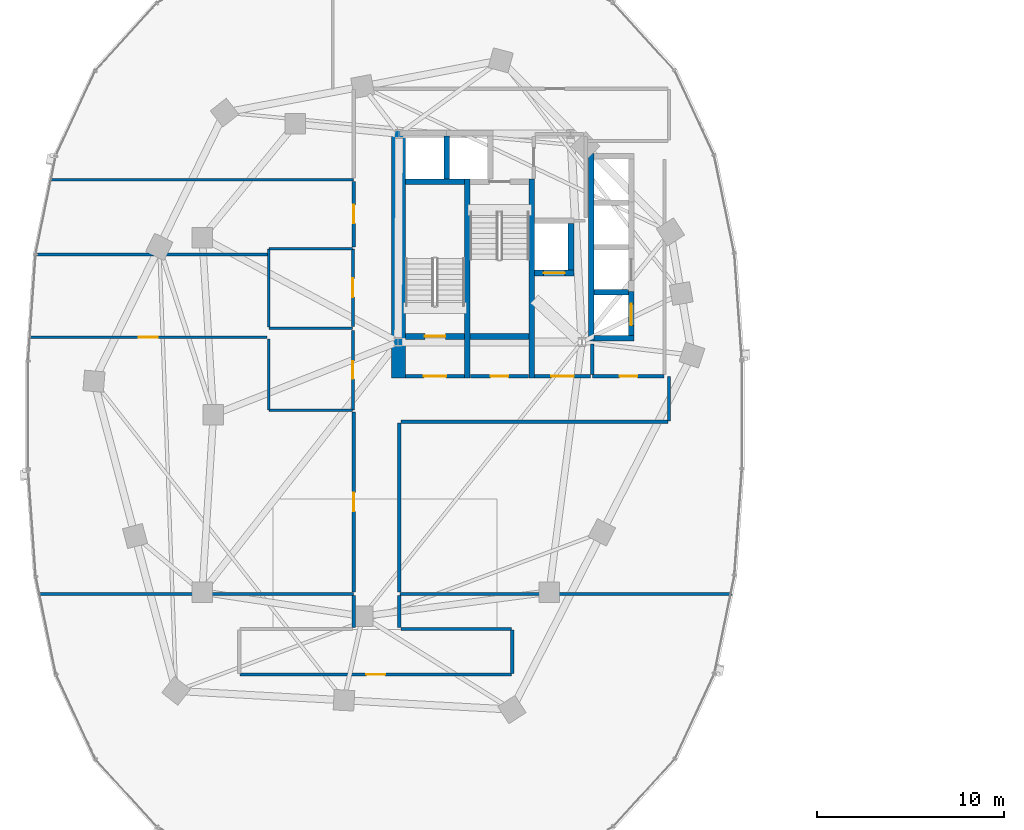
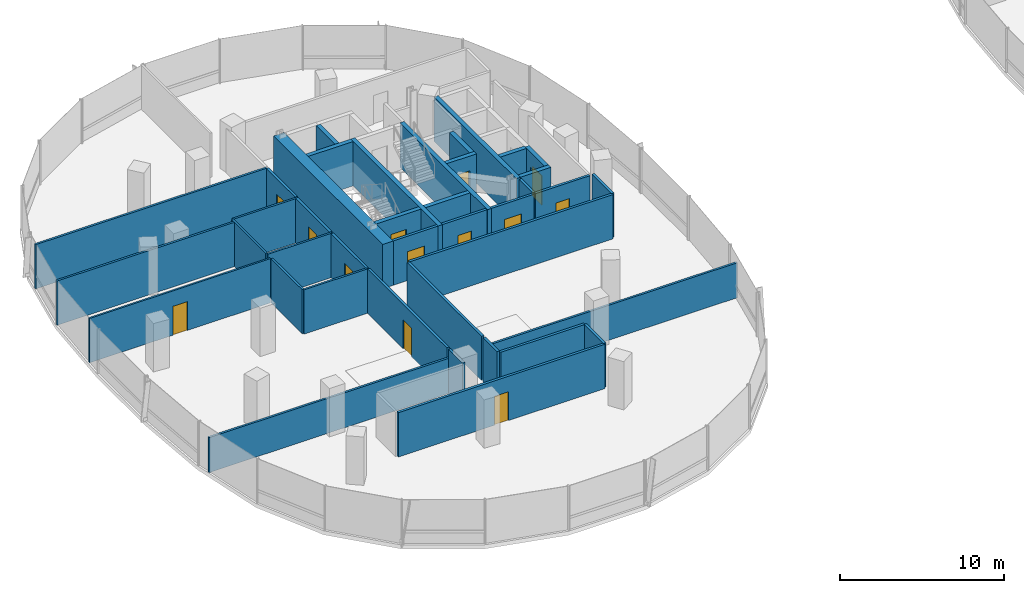
# One storey, part 11 of 21: 40 walls, 13 doors, 13 openings.
"""IFC4 building model written with IfcOpenShell, lengths in metres."""

from ifc_helpers import new_model, si_unit, direction, frame, frame_2d, origin, place, context, subcontext, project, spatial, rectangle, extrude, material, layer, layer_set, type_object, element, fill, save


model = new_model("IFC4")

# Units and contexts
model_context = context("Model", 3, precision=1e-05, world=origin(), true_north=direction((0.0, 1.0)))
body_context = subcontext(model_context, "Body", "Model", "MODEL_VIEW")
ifc_project = project(units=[si_unit("LENGTHUNIT", "METRE"), si_unit("AREAUNIT", "SQUARE_METRE"), si_unit("VOLUMEUNIT", "CUBIC_METRE"), si_unit("PLANEANGLEUNIT", "RADIAN"), si_unit("MASSUNIT", "GRAM", prefix="KILO"), si_unit("THERMODYNAMICTEMPERATUREUNIT", "KELVIN"), si_unit("POWERUNIT", "WATT")], contexts=[model_context])

# Site, building, storey
site_placement = place(None, origin())
site = spatial("IfcSite", under=ifc_project, at=site_placement, CompositionType="ELEMENT")
building_placement = place(site_placement, origin())
building = spatial("IfcBuilding", under=site, at=building_placement, Name="Cundina Bronze Exchange", CompositionType="ELEMENT")
storey_placement = place(building_placement, frame((0.0, 0.0, 103.39990234375)))
storey = spatial("IfcBuildingStorey", under=building, at=storey_placement, Name="L26", CompositionType="ELEMENT", Elevation=103.39990234375)

# Wall
ifc_material_1 = material(Name="Gypsum Fireboard Partition EI120")
ifc_layer_1 = layer(ifc_material_1, 0.179931640625, Name="Gypsum Fireboard Partition EI120")
ifc_layer_set_1 = layer_set([ifc_layer_1], Name="Gypsum Fireboard Partition EI120")
wall_type_1 = type_object("IfcWallType", Name="WL-COR-180", PredefinedType="PARTITIONING", material=ifc_layer_set_1)
wall_1_placement = place(storey_placement, frame((-20.889892578125, 2.14990234375, 0.0), z_axis=(0.0, 0.0, 1.0), x_axis=(0.0, 1.0, 0.0)))
element("IfcWall", 1, at=wall_1_placement, inside=storey, type_object=wall_type_1, Name="L26 W Firefighting Lobby Side Wall", PredefinedType="PARTITIONING", context=body_context, shape_type="SweptSolid", body=[
    extrude(rectangle(XDim=1.650146484375, YDim=0.179931640625, at=frame_2d((0.8251953125, 0.0))), origin(), (0.0, 0.0, 1.0), 3.300048828125),
])

# Wall, opening, door
wall_2_placement = place(storey_placement, frame((-23.97998046875, 2.06005859375, 0.0), z_axis=(0.0, 0.0, 1.0), x_axis=(1.0, 0.0, 0.0)))
wall_2 = element("IfcWall", 2, at=wall_2_placement, inside=storey, type_object=wall_type_1, Name="L26 W Firefighting Lobby Exit Wall", PredefinedType="PARTITIONING", context=body_context, shape_type="SweptSolid", body=[
    extrude(rectangle(XDim=3.0, YDim=0.179931640625, at=frame_2d((1.5, 0.0))), origin(), (0.0, 0.0, 1.0), 3.300048828125),
])
opening_1_placement = place(wall_2_placement, frame((0.89990234375, 0.0, 0.0)))
opening_1 = element("IfcOpeningElement", 3, at=opening_1_placement, cuts=wall_2, Name="Opening DF-01", PredefinedType="OPENING", context=body_context, shape_type="SweptSolid", body=[
    extrude(rectangle(XDim=1.199951171875, YDim=2.14990234375, at=frame_2d((0.60009765625, 1.074951171875))), frame((0.0, 0.099853515625, 0.0), z_axis=(0.0, -1.0, 0.0), x_axis=(1.0, 0.0, 0.0)), (0.0, 0.0, 1.0), 0.199951171875),
])
ifc_material_2 = material(Name="Steel ASTM A36 Painted", Category="steel")
door_type_1 = type_object("IfcDoorType", Name="DR-FFL-1200", OperationType="NOTDEFINED", PredefinedType="DOOR", material=ifc_material_2)
door_1_placement = place(opening_1_placement, origin())
door_1 = element("IfcDoor", 4, at=door_1_placement, inside=storey, type_object=door_type_1, Name="L26 W Firefighting Lobby Door", OperationType="SINGLE_SWING_RIGHT", OverallHeight=2.14990234375, OverallWidth=1.199951171875, PredefinedType="DOOR", context=body_context, shape_type="SweptSolid", body=[
    extrude(rectangle(XDim=1.199951171875, YDim=2.14990234375, at=frame_2d((0.60009765625, 1.074951171875))), frame((0.0, 0.02490234375, 0.0), z_axis=(0.0, -1.0, 0.0), x_axis=(1.0, 0.0, 0.0)), (0.0, 0.0, 1.0), 0.050048828125),
])
fill(opening_1, door_1)

wall_3_placement = place(storey_placement, frame((-30.89990234375, 2.06005859375, 0.0), z_axis=(0.0, 0.0, 1.0), x_axis=(1.0, 0.0, 0.0)))
wall_3 = element("IfcWall", 5, at=wall_3_placement, inside=storey, type_object=wall_type_1, Name="L26 W Stair Vestibule Exit Wall", PredefinedType="PARTITIONING", context=body_context, shape_type="SweptSolid", body=[
    extrude(rectangle(XDim=3.159912109375, YDim=0.179931640625, at=frame_2d((1.580078125, 0.0))), origin(), (0.0, 0.0, 1.0), 3.300048828125),
])
opening_2_placement = place(wall_3_placement, frame((0.97998046875, 0.0, 0.0)))
opening_2 = element("IfcOpeningElement", 6, at=opening_2_placement, cuts=wall_3, Name="Opening DF-01", PredefinedType="OPENING", context=body_context, shape_type="SweptSolid", body=[
    extrude(rectangle(XDim=1.199951171875, YDim=2.14990234375, at=frame_2d((0.60009765625, 1.074951171875))), frame((0.0, 0.099853515625, 0.0), z_axis=(0.0, -1.0, 0.0), x_axis=(1.0, 0.0, 0.0)), (0.0, 0.0, 1.0), 0.199951171875),
])
door_2_placement = place(opening_2_placement, origin())
door_2 = element("IfcDoor", 7, at=door_2_placement, inside=storey, type_object=door_type_1, Name="L26 W Stair Vestibule Door", OperationType="SINGLE_SWING_LEFT", OverallHeight=2.14990234375, OverallWidth=1.199951171875, PredefinedType="DOOR", context=body_context, shape_type="SweptSolid", body=[
    extrude(rectangle(XDim=1.199951171875, YDim=2.14990234375, at=frame_2d((0.60009765625, 1.074951171875))), frame((0.0, 0.02490234375, 0.0), z_axis=(0.0, -1.0, 0.0), x_axis=(1.0, 0.0, 0.0)), (0.0, 0.0, 1.0), 0.050048828125),
])
fill(opening_2, door_2)

wall_4_placement = place(storey_placement, frame((-20.8701171875, 2.070068359375, 0.0), z_axis=(0.0, 0.0, 1.0), x_axis=(1.0, 0.0, 0.0)))
wall_4 = element("IfcWall", 8, at=wall_4_placement, inside=storey, type_object=wall_type_1, Name="L26 Interior Partition 002", PredefinedType="PARTITIONING", context=body_context, shape_type="SweptSolid", body=[
    extrude(rectangle(XDim=3.830078125, YDim=0.179931640625, at=frame_2d((1.9150390625, 0.0))), origin(), (0.0, 0.0, 1.0), 3.300048828125),
])
opening_3_placement = place(wall_4_placement, frame((1.43994140625, 0.0, 0.0)))
opening_3 = element("IfcOpeningElement", 9, at=opening_3_placement, cuts=wall_4, Name="Opening DW-01", PredefinedType="OPENING", context=body_context, shape_type="SweptSolid", body=[
    extrude(rectangle(XDim=0.949951171875, YDim=2.10009765625, at=frame_2d((0.47509765625, 1.050048828125))), frame((0.0, 0.099853515625, 0.0), z_axis=(0.0, -1.0, 0.0), x_axis=(1.0, 0.0, 0.0)), (0.0, 0.0, 1.0), 0.199951171875),
])
ifc_material_3 = material(Name="Solid Andean Oak Timber Grade A", Category="wood")
door_type_2 = type_object("IfcDoorType", Name="DR-WC-950", OperationType="NOTDEFINED", PredefinedType="DOOR", material=ifc_material_3)
door_3_placement = place(opening_3_placement, origin())
door_3 = element("IfcDoor", 10, at=door_3_placement, inside=storey, type_object=door_type_2, Name="L26 Interior Door 002", OperationType="SINGLE_SWING_LEFT", OverallHeight=2.10009765625, OverallWidth=0.949951171875, PredefinedType="DOOR", context=body_context, shape_type="SweptSolid", body=[
    extrude(rectangle(XDim=0.949951171875, YDim=2.10009765625, at=frame_2d((0.47509765625, 1.050048828125))), frame((0.0, 0.02490234375, 0.0), z_axis=(0.0, -1.0, 0.0), x_axis=(1.0, 0.0, 0.0)), (0.0, 0.0, 1.0), 0.050048828125),
])
fill(opening_3, door_3)

wall_5_placement = place(storey_placement, frame((-27.419921875, 2.070068359375, 0.0), z_axis=(0.0, 0.0, 1.0), x_axis=(1.0, 0.0, 0.0)))
wall_5 = element("IfcWall", 11, at=wall_5_placement, inside=storey, type_object=wall_type_1, Name="L26 Interior Partition 006", PredefinedType="PARTITIONING", context=body_context, shape_type="SweptSolid", body=[
    extrude(rectangle(XDim=3.119873046875, YDim=0.179931640625, at=frame_2d((1.56005859375, 0.0))), origin(), (0.0, 0.0, 1.0), 3.300048828125),
])
opening_4_placement = place(wall_5_placement, frame((1.0849609375, 0.0, 0.0)))
opening_4 = element("IfcOpeningElement", 12, at=opening_4_placement, cuts=wall_5, Name="Opening DW-01", PredefinedType="OPENING", context=body_context, shape_type="SweptSolid", body=[
    extrude(rectangle(XDim=0.949951171875, YDim=2.10009765625, at=frame_2d((0.47509765625, 1.050048828125))), frame((0.0, 0.099853515625, 0.0), z_axis=(0.0, -1.0, 0.0), x_axis=(1.0, 0.0, 0.0)), (0.0, 0.0, 1.0), 0.199951171875),
])
door_4_placement = place(opening_4_placement, origin())
door_4 = element("IfcDoor", 13, at=door_4_placement, inside=storey, type_object=door_type_2, Name="L26 Interior Door 006", OperationType="SINGLE_SWING_RIGHT", OverallHeight=2.10009765625, OverallWidth=0.949951171875, PredefinedType="DOOR", context=body_context, shape_type="SweptSolid", body=[
    extrude(rectangle(XDim=0.949951171875, YDim=2.10009765625, at=frame_2d((0.47509765625, 1.050048828125))), frame((0.0, 0.02490234375, 0.0), z_axis=(0.0, -1.0, 0.0), x_axis=(1.0, 0.0, 0.0)), (0.0, 0.0, 1.0), 0.050048828125),
])
fill(opening_4, door_4)

wall_6_placement = place(storey_placement, frame((-33.719970703125, 0.27001953125, 0.0), z_axis=(0.0, 0.0, 1.0), x_axis=(0.0, 1.0, 0.0)))
wall_6 = element("IfcWall", 14, at=wall_6_placement, inside=storey, type_object=wall_type_1, Name="L26 Interior Partition 013", PredefinedType="PARTITIONING", context=body_context, shape_type="SweptSolid", body=[
    extrude(rectangle(XDim=4.260009765625, YDim=0.179931640625, at=frame_2d((2.1298828125, 0.0))), origin(), (0.0, 0.0, 1.0), 3.300048828125),
])
opening_5_placement = place(wall_6_placement, frame((1.655029296875, 0.0, 0.0)))
opening_5 = element("IfcOpeningElement", 15, at=opening_5_placement, cuts=wall_6, Name="Opening DW-01", PredefinedType="OPENING", context=body_context, shape_type="SweptSolid", body=[
    extrude(rectangle(XDim=0.949951171875, YDim=2.10009765625, at=frame_2d((0.47509765625, 1.050048828125))), frame((0.0, 0.099853515625, 0.0), z_axis=(0.0, -1.0, 0.0), x_axis=(1.0, 0.0, 0.0)), (0.0, 0.0, 1.0), 0.199951171875),
])
door_5_placement = place(opening_5_placement, origin())
door_5 = element("IfcDoor", 16, at=door_5_placement, inside=storey, type_object=door_type_2, Name="L26 Interior Door 013", OperationType="SINGLE_SWING_LEFT", OverallHeight=2.10009765625, OverallWidth=0.949951171875, PredefinedType="DOOR", context=body_context, shape_type="SweptSolid", body=[
    extrude(rectangle(XDim=0.949951171875, YDim=2.10009765625, at=frame_2d((0.47509765625, 1.050048828125))), frame((0.0, 0.02490234375, 0.0), z_axis=(0.0, -1.0, 0.0), x_axis=(1.0, 0.0, 0.0)), (0.0, 0.0, 1.0), 0.050048828125),
])
fill(opening_5, door_5)

wall_7_placement = place(storey_placement, frame((-33.719970703125, 4.72998046875, 0.0), z_axis=(0.0, 0.0, 1.0), x_axis=(0.0, 1.0, 0.0)))
wall_7 = element("IfcWall", 17, at=wall_7_placement, inside=storey, type_object=wall_type_1, Name="L26 Interior Partition 014", PredefinedType="PARTITIONING", context=body_context, shape_type="SweptSolid", body=[
    extrude(rectangle(XDim=4.159912109375, YDim=0.179931640625, at=frame_2d((2.080078125, 0.0))), origin(), (0.0, 0.0, 1.0), 3.300048828125),
])
opening_6_placement = place(wall_7_placement, frame((1.580078125, 0.0, 0.0)))
opening_6 = element("IfcOpeningElement", 18, at=opening_6_placement, cuts=wall_7, Name="Opening DO-01", PredefinedType="OPENING", context=body_context, shape_type="SweptSolid", body=[
    extrude(rectangle(XDim=1.0, YDim=2.14990234375, at=frame_2d((0.5, 1.074951171875))), frame((0.0, 0.099853515625, 0.0), z_axis=(0.0, -1.0, 0.0), x_axis=(1.0, 0.0, 0.0)), (0.0, 0.0, 1.0), 0.199951171875),
])
door_type_3 = type_object("IfcDoorType", Name="DR-OFF-1000", OperationType="NOTDEFINED", PredefinedType="DOOR", material=ifc_material_3)
door_6_placement = place(opening_6_placement, origin())
door_6 = element("IfcDoor", 19, at=door_6_placement, inside=storey, type_object=door_type_3, Name="L26 Interior Door 014", OperationType="SINGLE_SWING_LEFT", OverallHeight=2.14990234375, OverallWidth=1.0, PredefinedType="DOOR", context=body_context, shape_type="SweptSolid", body=[
    extrude(rectangle(XDim=1.0, YDim=2.14990234375, at=frame_2d((0.5, 1.074951171875))), frame((0.0, 0.02490234375, 0.0), z_axis=(0.0, -1.0, 0.0), x_axis=(1.0, 0.0, 0.0)), (0.0, 0.0, 1.0), 0.050048828125),
])
fill(opening_6, door_6)

wall_8_placement = place(storey_placement, frame((-39.778564453125, -13.919921875, 0.0), z_axis=(0.0, 0.0, 1.0), x_axis=(1.0, 0.0, 0.0)))
wall_8 = element("IfcWall", 20, at=wall_8_placement, inside=storey, type_object=wall_type_1, Name="L26 Interior Partition 020", PredefinedType="PARTITIONING", context=body_context, shape_type="SweptSolid", body=[
    extrude(rectangle(XDim=14.55712890625, YDim=0.179931640625, at=frame_2d((7.278564453125, 0.0))), origin(), (0.0, 0.0, 1.0), 3.300048828125),
])
opening_7_placement = place(wall_8_placement, frame((6.778564453125, 0.0, 0.0)))
opening_7 = element("IfcOpeningElement", 21, at=opening_7_placement, cuts=wall_8, Name="Opening DO-01", PredefinedType="OPENING", context=body_context, shape_type="SweptSolid", body=[
    extrude(rectangle(XDim=1.0, YDim=2.14990234375, at=frame_2d((0.5, 1.074951171875))), frame((0.0, 0.099853515625, 0.0), z_axis=(0.0, -1.0, 0.0), x_axis=(1.0, 0.0, 0.0)), (0.0, 0.0, 1.0), 0.199951171875),
])
door_7_placement = place(opening_7_placement, origin())
door_7 = element("IfcDoor", 22, at=door_7_placement, inside=storey, type_object=door_type_3, Name="L26 Interior Door 020", OperationType="SINGLE_SWING_RIGHT", OverallHeight=2.14990234375, OverallWidth=1.0, PredefinedType="DOOR", context=body_context, shape_type="SweptSolid", body=[
    extrude(rectangle(XDim=1.0, YDim=2.14990234375, at=frame_2d((0.5, 1.074951171875))), frame((0.0, 0.02490234375, 0.0), z_axis=(0.0, -1.0, 0.0), x_axis=(1.0, 0.0, 0.0)), (0.0, 0.0, 1.0), 0.050048828125),
])
fill(opening_7, door_7)

# Walls
wall_9_placement = place(storey_placement, frame((-25.221435546875, -11.47998046875, 0.0), z_axis=(0.0, 0.0, 1.0), x_axis=(-1.0, 0.0, 0.0)))
element("IfcWall", 23, at=wall_9_placement, inside=storey, type_object=wall_type_1, Name="L26 Interior Partition 022", PredefinedType="PARTITIONING", context=body_context, shape_type="SweptSolid", body=[
    extrude(rectangle(XDim=5.928466796875, YDim=0.179931640625, at=frame_2d((2.96435546875, 0.0))), origin(), (0.0, 0.0, 1.0), 3.300048828125),
])
wall_10_placement = place(storey_placement, frame((-25.179931640625, -13.87841796875, 0.0), z_axis=(0.0, 0.0, 1.0), x_axis=(0.0, 1.0, 0.0)))
element("IfcWall", 24, at=wall_10_placement, inside=storey, type_object=wall_type_1, Name="L26 Interior Partition 024", PredefinedType="PARTITIONING", context=body_context, shape_type="SweptSolid", body=[
    extrude(rectangle(XDim=2.35693359375, YDim=0.179931640625, at=frame_2d((1.178466796875, 0.0))), origin(), (0.0, 0.0, 1.0), 3.300048828125),
])
for number, where, z_axis, x_axis, name in (
    (25, (-33.669921875, -9.68994140625, 0.0), (0.0, 0.0, 1.0), (0.0, -1.0, 0.0), "L26 Interior Partition 025"),
    (26, (-31.22998046875, -11.39990234375, 0.0), (0.0, 0.0, 1.0), (0.0, 1.0, 0.0), "L26 Interior Partition 026"),
):
    element("IfcWall", number, at=place(storey_placement, frame(where, z_axis=z_axis, x_axis=x_axis)), inside=storey, type_object=wall_type_1, Name=name, PredefinedType="PARTITIONING", context=body_context, shape_type="SweptSolid", body=[
        extrude(rectangle(XDim=1.7099609375, YDim=0.179931640625, at=frame_2d((0.85498046875, 0.0))), origin(), (0.0, 0.0, 1.0), 3.300048828125),
    ])

# Wall, opening, door
wall_11_placement = place(storey_placement, frame((-33.669921875, 0.15869140625, 0.0), z_axis=(0.0, 0.0, 1.0), x_axis=(0.0, -1.0, 0.0)))
wall_11 = element("IfcWall", 27, at=wall_11_placement, inside=storey, type_object=wall_type_1, Name="L26 Interior Partition 027", PredefinedType="PARTITIONING", context=body_context, shape_type="SweptSolid", body=[
    extrude(rectangle(XDim=9.668701171875, YDim=0.179931640625, at=frame_2d((4.83447265625, 0.0))), origin(), (0.0, 0.0, 1.0), 3.300048828125),
])
opening_8_placement = place(wall_11_placement, frame((4.334228515625, 0.0, 0.0)))
opening_8 = element("IfcOpeningElement", 28, at=opening_8_placement, cuts=wall_11, Name="Opening DO-01", PredefinedType="OPENING", context=body_context, shape_type="SweptSolid", body=[
    extrude(rectangle(XDim=1.0, YDim=2.14990234375, at=frame_2d((0.5, 1.074951171875))), frame((0.0, 0.099853515625, 0.0), z_axis=(0.0, -1.0, 0.0), x_axis=(1.0, 0.0, 0.0)), (0.0, 0.0, 1.0), 0.199951171875),
])
door_8_placement = place(opening_8_placement, origin())
door_8 = element("IfcDoor", 29, at=door_8_placement, inside=storey, type_object=door_type_3, Name="L26 Interior Door 027", OperationType="SINGLE_SWING_RIGHT", OverallHeight=2.14990234375, OverallWidth=1.0, PredefinedType="DOOR", context=body_context, shape_type="SweptSolid", body=[
    extrude(rectangle(XDim=1.0, YDim=2.14990234375, at=frame_2d((0.5, 1.074951171875))), frame((0.0, 0.02490234375, 0.0), z_axis=(0.0, -1.0, 0.0), x_axis=(1.0, 0.0, 0.0)), (0.0, 0.0, 1.0), 0.050048828125),
])
fill(opening_8, door_8)

# Walls
wall_12_placement = place(storey_placement, frame((-31.14990234375, -0.3701171875, 0.0), z_axis=(0.0, 0.0, 1.0), x_axis=(1.0, 0.0, 0.0)))
element("IfcWall", 30, at=wall_12_placement, inside=storey, type_object=wall_type_1, Name="L26 Interior Partition 029", PredefinedType="PARTITIONING", context=body_context, shape_type="SweptSolid", body=[
    extrude(rectangle(XDim=14.328369140625, YDim=0.179931640625, at=frame_2d((7.1640625, 0.0))), origin(), (0.0, 0.0, 1.0), 3.300048828125),
])
wall_13_placement = place(storey_placement, frame((-31.22998046875, -9.510009765625, 0.0), z_axis=(0.0, 0.0, 1.0), x_axis=(0.0, 1.0, 0.0)))
element("IfcWall", 31, at=wall_13_placement, inside=storey, type_object=wall_type_1, Name="L26 Interior Partition 030", PredefinedType="PARTITIONING", context=body_context, shape_type="SweptSolid", body=[
    extrude(rectangle(XDim=9.06005859375, YDim=0.179931640625, at=frame_2d((4.530029296875, 0.0))), origin(), (0.0, 0.0, 1.0), 3.300048828125),
])
wall_14_placement = place(storey_placement, frame((-16.780029296875, -0.32861328125, 0.0), z_axis=(0.0, 0.0, 1.0), x_axis=(0.0, 1.0, 0.0)))
element("IfcWall", 32, at=wall_14_placement, inside=storey, type_object=wall_type_1, Name="L26 Interior Partition 034", PredefinedType="PARTITIONING", context=body_context, shape_type="SweptSolid", body=[
    extrude(rectangle(XDim=2.38720703125, YDim=0.179931640625, at=frame_2d((1.193603515625, 0.0))), origin(), (0.0, 0.0, 1.0), 3.300048828125),
])

# Wall, opening, door
wall_15_placement = place(storey_placement, frame((-33.669921875, 12.510009765625, 0.0), z_axis=(0.0, 0.0, 1.0), x_axis=(0.0, -1.0, 0.0)))
wall_15 = element("IfcWall", 33, at=wall_15_placement, inside=storey, type_object=wall_type_1, Name="L26 Interior Partition 035", PredefinedType="PARTITIONING", context=body_context, shape_type="SweptSolid", body=[
    extrude(rectangle(XDim=3.508544921875, YDim=0.179931640625, at=frame_2d((1.75439453125, 0.0))), origin(), (0.0, 0.0, 1.0), 3.300048828125),
])
opening_9_placement = place(wall_15_placement, frame((1.25439453125, 0.0, 0.0)))
opening_9 = element("IfcOpeningElement", 34, at=opening_9_placement, cuts=wall_15, Name="Opening DO-01", PredefinedType="OPENING", context=body_context, shape_type="SweptSolid", body=[
    extrude(rectangle(XDim=1.0, YDim=2.14990234375, at=frame_2d((0.5, 1.074951171875))), frame((0.0, 0.099853515625, 0.0), z_axis=(0.0, -1.0, 0.0), x_axis=(1.0, 0.0, 0.0)), (0.0, 0.0, 1.0), 0.199951171875),
])
door_9_placement = place(opening_9_placement, origin())
door_9 = element("IfcDoor", 35, at=door_9_placement, inside=storey, type_object=door_type_3, Name="L26 Interior Door 035", OperationType="SINGLE_SWING_LEFT", OverallHeight=2.14990234375, OverallWidth=1.0, PredefinedType="DOOR", context=body_context, shape_type="SweptSolid", body=[
    extrude(rectangle(XDim=1.0, YDim=2.14990234375, at=frame_2d((0.5, 1.074951171875))), frame((0.0, 0.02490234375, 0.0), z_axis=(0.0, -1.0, 0.0), x_axis=(1.0, 0.0, 0.0)), (0.0, 0.0, 1.0), 0.050048828125),
])
fill(opening_9, door_9)

# Wall
ifc_material_4 = material(Name="Concrete C60/75", Category="concrete")
ifc_layer_2 = layer(ifc_material_4, 0.75, Name="Concrete C60/75", Category="concrete")
ifc_layer_set_2 = layer_set([ifc_layer_2], Name="Concrete C60/75")
wall_type_2 = type_object("IfcWallType", Name="WL-CORE-750", PredefinedType="SHEAR", material=ifc_layer_set_2)
wall_16_placement = place(storey_placement, frame((-31.27490234375, 1.969970703125, 0.0), z_axis=(0.0, 0.0, 1.0), x_axis=(0.0, 1.0, 0.0)))
element("IfcWall", 36, at=wall_16_placement, inside=storey, type_object=wall_type_2, Name="L26 W Primary Core Shear Spine Wall", PredefinedType="SHEAR", context=body_context, shape_type="SweptSolid", body=[
    extrude(rectangle(XDim=13.330078125, YDim=0.75, at=frame_2d((6.6650390625, 0.0))), origin(), (0.0, 0.0, 1.0), 3.300048828125),
])

# Wall, opening, door
ifc_material_5 = material(Name="Gypsum Acoustic Partition EI60")
ifc_layer_3 = layer(ifc_material_5, 0.125, Name="Gypsum Acoustic Partition EI60")
ifc_layer_set_3 = layer_set([ifc_layer_3], Name="Gypsum Acoustic Partition EI60")
wall_type_3 = type_object("IfcWallType", Name="WL-OFF-125", PredefinedType="PARTITIONING", material=ifc_layer_set_3)
wall_17_placement = place(storey_placement, frame((-38.320068359375, 4.14990234375, 0.0), z_axis=(0.0, 0.0, 1.0), x_axis=(-1.0, 0.0, 0.0)))
wall_17 = element("IfcWall", 37, at=wall_17_placement, inside=storey, type_object=wall_type_3, Name="L26 Interior Partition 036", PredefinedType="PARTITIONING", context=body_context, shape_type="SweptSolid", body=[
    extrude(rectangle(XDim=12.74365234375, YDim=0.125, at=frame_2d((6.371826171875, 0.0))), origin(), (0.0, 0.0, 1.0), 3.300048828125),
])
opening_10_placement = place(wall_17_placement, frame((5.871826171875, 0.0, 0.0)))
opening_10 = element("IfcOpeningElement", 38, at=opening_10_placement, cuts=wall_17, Name="Opening DO-01", PredefinedType="OPENING", context=body_context, shape_type="SweptSolid", body=[
    extrude(rectangle(XDim=1.0, YDim=2.14990234375, at=frame_2d((0.5, 1.074951171875))), frame((0.0, 0.072509765625, 0.0), z_axis=(0.0, -1.0, 0.0), x_axis=(1.0, 0.0, 0.0)), (0.0, 0.0, 1.0), 0.14501953125),
])
door_10_placement = place(opening_10_placement, origin())
door_10 = element("IfcDoor", 39, at=door_10_placement, inside=storey, type_object=door_type_3, Name="L26 Interior Door 036", OperationType="SINGLE_SWING_LEFT", OverallHeight=2.14990234375, OverallWidth=1.0, PredefinedType="DOOR", context=body_context, shape_type="SweptSolid", body=[
    extrude(rectangle(XDim=1.0, YDim=2.14990234375, at=frame_2d((0.5, 1.074951171875))), frame((0.0, 0.02490234375, 0.0), z_axis=(0.0, -1.0, 0.0), x_axis=(1.0, 0.0, 0.0)), (0.0, 0.0, 1.0), 0.050048828125),
])
fill(opening_10, door_10)

# Walls
ifc_material_6 = material(Name="Concrete C50/60", Category="concrete")
ifc_layer_4 = layer(ifc_material_6, 0.300048828125, Name="Concrete C50/60", Category="concrete")
ifc_layer_set_4 = layer_set([ifc_layer_4], Name="Concrete C50/60")
wall_type_4 = type_object("IfcWallType", Name="WL-SHFT-300", PredefinedType="SHEAR", material=ifc_layer_set_4)
for number, where, z_axis, x_axis, name in (
    (40, (-27.590087890625, 1.969970703125, 0.0), (0.0, 0.0, 1.0), (0.0, 1.0, 0.0), "L26 W Stair Shaft Dividing Shear Wall"),
    (41, (-24.1298828125, 1.969970703125, 0.0), (0.0, 0.0, 1.0), (0.0, 1.0, 0.0), "L26 W Stair 2 East Shear Wall"),
):
    element("IfcWall", number, at=place(storey_placement, frame(where, z_axis=z_axis, x_axis=x_axis)), inside=storey, type_object=wall_type_4, Name=name, PredefinedType="SHEAR", context=body_context, shape_type="SweptSolid", body=[
        extrude(rectangle(XDim=10.679931640625, YDim=0.300048828125, at=frame_2d((5.33984375, 0.0))), origin(), (0.0, 0.0, 1.0), 3.300048828125),
    ])

# Wall, opening, door
wall_18_placement = place(storey_placement, frame((-30.89990234375, 4.199951171875, 0.0), z_axis=(0.0, 0.0, 1.0), x_axis=(1.0, 0.0, 0.0)))
wall_18 = element("IfcWall", 42, at=wall_18_placement, inside=storey, type_object=wall_type_4, Name="L26 Stair W1 Landing Wall", PredefinedType="SHEAR", context=body_context, shape_type="SweptSolid", body=[
    extrude(rectangle(XDim=3.159912109375, YDim=0.300048828125, at=frame_2d((1.580078125, 0.0))), origin(), (0.0, 0.0, 1.0), 3.300048828125),
])
opening_11_placement = place(wall_18_placement, frame((1.030029296875, 0.0, 0.0)))
opening_11 = element("IfcOpeningElement", 43, at=opening_11_placement, cuts=wall_18, Name="Opening DS-01", PredefinedType="OPENING", context=body_context, shape_type="SweptSolid", body=[
    extrude(rectangle(XDim=1.10009765625, YDim=2.14990234375, at=frame_2d((0.550048828125, 1.074951171875))), frame((0.0, 0.159912109375, 0.0), z_axis=(0.0, -1.0, 0.0), x_axis=(1.0, 0.0, 0.0)), (0.0, 0.0, 1.0), 0.320068359375),
])
door_type_4 = type_object("IfcDoorType", Name="DR-STR-1100", OperationType="NOTDEFINED", PredefinedType="DOOR", material=ifc_material_2)
door_11_placement = place(opening_11_placement, origin())
door_11 = element("IfcDoor", 44, at=door_11_placement, inside=storey, type_object=door_type_4, Name="L26 Smokeproof Stair W1 Door", OperationType="SINGLE_SWING_RIGHT", OverallHeight=2.14990234375, OverallWidth=1.10009765625, PredefinedType="DOOR", context=body_context, shape_type="SweptSolid", body=[
    extrude(rectangle(XDim=1.10009765625, YDim=2.14990234375, at=frame_2d((0.550048828125, 1.074951171875))), frame((0.0, 0.02490234375, 0.0), z_axis=(0.0, -1.0, 0.0), x_axis=(1.0, 0.0, 0.0)), (0.0, 0.0, 1.0), 0.050048828125),
])
fill(opening_11, door_11)

# Walls
for number, where, z_axis, x_axis, name in (
    (45, (-30.89990234375, 12.5, 0.0), (0.0, 0.0, 1.0), (1.0, 0.0, 0.0), "L26 Stair W1 Far Shaft Wall"),
    (46, (-27.43994140625, 4.199951171875, 0.0), (0.0, 0.0, 1.0), (1.0, 0.0, 0.0), "L26 Stair W2 Far Shaft Wall"),
):
    element("IfcWall", number, at=place(storey_placement, frame(where, z_axis=z_axis, x_axis=x_axis)), inside=storey, type_object=wall_type_4, Name=name, PredefinedType="SHEAR", context=body_context, shape_type="SweptSolid", body=[
        extrude(rectangle(XDim=3.159912109375, YDim=0.300048828125, at=frame_2d((1.580078125, 0.0))), origin(), (0.0, 0.0, 1.0), 3.300048828125),
    ])

# Wall, opening, door
wall_19_placement = place(storey_placement, frame((-23.97998046875, 7.60009765625, 0.0), z_axis=(0.0, 0.0, 1.0), x_axis=(1.0, 0.0, 0.0)))
wall_19 = element("IfcWall", 47, at=wall_19_placement, inside=storey, type_object=wall_type_4, Name="L26 FFL-W Hoistway Front Wall", PredefinedType="SHEAR", context=body_context, shape_type="SweptSolid", body=[
    extrude(rectangle(XDim=2.10009765625, YDim=0.300048828125, at=frame_2d((1.050048828125, 0.0))), origin(), (0.0, 0.0, 1.0), 3.300048828125),
])
opening_12_placement = place(wall_19_placement, frame((0.47509765625, 0.0, 0.0)))
opening_12 = element("IfcOpeningElement", 48, at=opening_12_placement, cuts=wall_19, Name="Opening LD-01", PredefinedType="OPENING", context=body_context, shape_type="SweptSolid", body=[
    extrude(rectangle(XDim=1.14990234375, YDim=2.199951171875, at=frame_2d((0.574951171875, 1.10009765625))), frame((0.0, 0.159912109375, 0.0), z_axis=(0.0, -1.0, 0.0), x_axis=(1.0, 0.0, 0.0)), (0.0, 0.0, 1.0), 0.320068359375),
])
door_type_5 = type_object("IfcDoorType", Name="DR-LND-1150", OperationType="NOTDEFINED", PredefinedType="TRAPDOOR", material=ifc_material_2)
door_12_placement = place(opening_12_placement, origin())
door_12 = element("IfcDoor", 49, at=door_12_placement, inside=storey, type_object=door_type_5, Name="L26 FFL-W Sliding Landing Door", OperationType="SLIDING_TO_LEFT", OverallHeight=2.199951171875, OverallWidth=1.14990234375, PredefinedType="TRAPDOOR", context=body_context, shape_type="SweptSolid", body=[
    extrude(rectangle(XDim=1.14990234375, YDim=2.199951171875, at=frame_2d((0.574951171875, 1.10009765625))), frame((0.0, 0.02490234375, 0.0), z_axis=(0.0, -1.0, 0.0), x_axis=(1.0, 0.0, 0.0)), (0.0, 0.0, 1.0), 0.050048828125),
])
fill(opening_12, door_12)

# Walls
wall_20_placement = place(storey_placement, frame((-22.030029296875, 7.75, 0.0), z_axis=(0.0, 0.0, 1.0), x_axis=(0.0, 1.0, 0.0)))
element("IfcWall", 50, at=wall_20_placement, inside=storey, type_object=wall_type_4, Name="L26 FFL-W Hoistway Side Wall", PredefinedType="SHEAR", context=body_context, shape_type="SweptSolid", body=[
    extrude(rectangle(XDim=2.5, YDim=0.300048828125, at=frame_2d((1.25, 0.0))), origin(), (0.0, 0.0, 1.0), 3.300048828125),
])
wall_21_placement = place(storey_placement, frame((-28.699951171875, 12.64990234375, 0.0), z_axis=(0.0, 0.0, 1.0), x_axis=(0.0, 1.0, 0.0)))
element("IfcWall", 51, at=wall_21_placement, inside=storey, type_object=wall_type_4, Name="L26 PH-W1 Hoistway Divider Wall", PredefinedType="SHEAR", context=body_context, shape_type="SweptSolid", body=[
    extrude(rectangle(XDim=2.300048828125, YDim=0.300048828125, at=frame_2d((1.14990234375, 0.0))), origin(), (0.0, 0.0, 1.0), 3.300048828125),
])
wall_22_placement = place(storey_placement, frame((-20.949951171875, 3.949951171875, 0.0), z_axis=(0.0, 0.0, 1.0), x_axis=(0.0, 1.0, 0.0)))
element("IfcWall", 52, at=wall_22_placement, inside=storey, type_object=wall_type_4, Name="L26 W Passenger Bank Hoistway Back Wall", PredefinedType="SHEAR", context=body_context, shape_type="SweptSolid", body=[
    extrude(rectangle(XDim=10.050048828125, YDim=0.300048828125, at=frame_2d((5.02490234375, 0.0))), origin(), (0.0, 0.0, 1.0), 3.300048828125),
])
wall_23_placement = place(storey_placement, frame((-20.800048828125, 4.10009765625, 0.0), z_axis=(0.0, 0.0, 1.0), x_axis=(1.0, 0.0, 0.0)))
element("IfcWall", 53, at=wall_23_placement, inside=storey, type_object=wall_type_4, Name="L26 W Passenger Bank South Cap Wall", PredefinedType="SHEAR", context=body_context, shape_type="SweptSolid", body=[
    extrude(rectangle(XDim=2.150146484375, YDim=0.300048828125, at=frame_2d((1.0751953125, 0.0))), origin(), (0.0, 0.0, 1.0), 3.300048828125),
])
wall_24_placement = place(storey_placement, frame((-20.800048828125, 6.574951171875, 0.0), z_axis=(0.0, 0.0, 1.0), x_axis=(1.0, 0.0, 0.0)))
element("IfcWall", 54, at=wall_24_placement, inside=storey, type_object=wall_type_4, Name="L26 W Passenger Hoistway Divider 1", PredefinedType="SHEAR", context=body_context, shape_type="SweptSolid", body=[
    extrude(rectangle(XDim=1.85009765625, YDim=0.300048828125, at=frame_2d((0.925048828125, 0.0))), origin(), (0.0, 0.0, 1.0), 3.300048828125),
])

# Wall, opening, door
wall_25_placement = place(storey_placement, frame((-18.800048828125, 4.1298828125, 0.0), z_axis=(0.0, 0.0, 1.0), x_axis=(0.0, 1.0, 0.0)))
wall_25 = element("IfcWall", 55, at=wall_25_placement, inside=storey, type_object=wall_type_4, Name="L26 PL-W2 Hoistway Front Wall", PredefinedType="SHEAR", context=body_context, shape_type="SweptSolid", body=[
    extrude(rectangle(XDim=2.490234375, YDim=0.300048828125, at=frame_2d((1.2451171875, 0.0))), origin(), (0.0, 0.0, 1.0), 3.300048828125),
])
opening_13_placement = place(wall_25_placement, frame((0.669921875, 0.0, 0.0)))
opening_13 = element("IfcOpeningElement", 56, at=opening_13_placement, cuts=wall_25, Name="Opening LD-01", PredefinedType="OPENING", context=body_context, shape_type="SweptSolid", body=[
    extrude(rectangle(XDim=1.14990234375, YDim=2.199951171875, at=frame_2d((0.574951171875, 1.10009765625))), frame((0.0, 0.159912109375, 0.0), z_axis=(0.0, -1.0, 0.0), x_axis=(1.0, 0.0, 0.0)), (0.0, 0.0, 1.0), 0.320068359375),
])
door_13_placement = place(opening_13_placement, origin())
door_13 = element("IfcDoor", 57, at=door_13_placement, inside=storey, type_object=door_type_5, Name="L26 PL-W2 Sliding Landing Door", OperationType="SLIDING_TO_LEFT", OverallHeight=2.199951171875, OverallWidth=1.14990234375, PredefinedType="TRAPDOOR", context=body_context, shape_type="SweptSolid", body=[
    extrude(rectangle(XDim=1.14990234375, YDim=2.199951171875, at=frame_2d((0.574951171875, 1.10009765625))), frame((0.0, 0.02490234375, 0.0), z_axis=(0.0, -1.0, 0.0), x_axis=(1.0, 0.0, 0.0)), (0.0, 0.0, 1.0), 0.050048828125),
])
fill(opening_13, door_13)

# Walls
ifc_layer_5 = layer(ifc_material_5, 0.14990234375, Name="Gypsum Acoustic Partition EI60")
ifc_layer_set_5 = layer_set([ifc_layer_5], Name="Gypsum Acoustic Partition EI60")
wall_type_5 = type_object("IfcWallType", Name="WL-TEN-150", PredefinedType="PARTITIONING", material=ifc_layer_set_5)
wall_26_placement = place(storey_placement, frame((-50.609619140625, -9.60009765625, 0.0), z_axis=(0.0, 0.0, 1.0), x_axis=(1.0, 0.0, 0.0)))
element("IfcWall", 58, at=wall_26_placement, inside=storey, type_object=wall_type_5, Name="L26 Interior Partition 015", PredefinedType="PARTITIONING", context=body_context, shape_type="SweptSolid", body=[
    extrude(rectangle(XDim=16.90966796875, YDim=0.14990234375, at=frame_2d((8.454833984375, 0.0))), origin(), (0.0, 0.0, 1.0), 2.60498046875),
])
wall_27_placement = place(storey_placement, frame((-31.199951171875, -9.60009765625, 0.0), z_axis=(0.0, 0.0, 1.0), x_axis=(1.0, 0.0, 0.0)))
element("IfcWall", 59, at=wall_27_placement, inside=storey, type_object=wall_type_5, Name="L26 Interior Partition 016", PredefinedType="PARTITIONING", context=body_context, shape_type="SweptSolid", body=[
    extrude(rectangle(XDim=17.8095703125, YDim=0.14990234375, at=frame_2d((8.90478515625, 0.0))), origin(), (0.0, 0.0, 1.0), 2.60498046875),
])
wall_28_placement = place(storey_placement, frame((-50.80859375, 8.60009765625, 0.0), z_axis=(0.0, 0.0, 1.0), x_axis=(1.0, 0.0, 0.0)))
element("IfcWall", 60, at=wall_28_placement, inside=storey, type_object=wall_type_5, Name="L26 Interior Partition 017", PredefinedType="PARTITIONING", context=body_context, shape_type="SweptSolid", body=[
    extrude(rectangle(XDim=12.53857421875, YDim=0.14990234375, at=frame_2d((6.269287109375, 0.0))), origin(), (0.0, 0.0, 1.0), 3.300048828125),
])
wall_29_placement = place(storey_placement, frame((-49.99267578125, 12.60009765625, 0.0), z_axis=(0.0, 0.0, 1.0), x_axis=(1.0, 0.0, 0.0)))
element("IfcWall", 61, at=wall_29_placement, inside=storey, type_object=wall_type_5, Name="L26 Interior Partition 018", PredefinedType="PARTITIONING", context=body_context, shape_type="SweptSolid", body=[
    extrude(rectangle(XDim=16.292724609375, YDim=0.14990234375, at=frame_2d((8.146484375, 0.0))), origin(), (0.0, 0.0, 1.0), 3.300048828125),
])
ifc_material_7 = material(Name="Moisture-Resistant Masonry Block Grade M15", Category="masonry")
ifc_layer_6 = layer(ifc_material_7, 0.139892578125, Name="Moisture-Resistant Masonry Block Grade M15", Category="masonry")
ifc_layer_set_6 = layer_set([ifc_layer_6], Name="Moisture-Resistant Masonry Block Grade M15")
wall_type_6 = type_object("IfcWallType", Name="WL-WET-140", PredefinedType="PARTITIONING", material=ifc_layer_set_6)
wall_30_placement = place(storey_placement, frame((-38.239990234375, 0.27001953125, 0.0), z_axis=(0.0, 0.0, 1.0), x_axis=(0.0, 1.0, 0.0)))
element("IfcWall", 62, at=wall_30_placement, inside=storey, type_object=wall_type_6, Name="L26 Interior Partition 008", PredefinedType="PARTITIONING", context=body_context, shape_type="SweptSolid", body=[
    extrude(rectangle(XDim=3.794921875, YDim=0.139892578125, at=frame_2d((1.8974609375, 0.0))), origin(), (0.0, 0.0, 1.0), 3.300048828125),
])
wall_31_placement = place(storey_placement, frame((-38.239990234375, 4.715087890625, 0.0), z_axis=(0.0, 0.0, 1.0), x_axis=(0.0, 1.0, 0.0)))
element("IfcWall", 63, at=wall_31_placement, inside=storey, type_object=wall_type_6, Name="L26 Interior Partition 009", PredefinedType="PARTITIONING", context=body_context, shape_type="SweptSolid", body=[
    extrude(rectangle(XDim=4.1748046875, YDim=0.139892578125, at=frame_2d((2.08740234375, 0.0))), origin(), (0.0, 0.0, 1.0), 3.300048828125),
])
for number, where, z_axis, x_axis, name in (
    (64, (-38.219970703125, 0.25, 0.0), (0.0, 0.0, 1.0), (1.0, 0.0, 0.0), "L26 Interior Partition 010"),
    (65, (-38.219970703125, 4.6298828125, 0.0), (0.0, 0.0, 1.0), (1.0, 0.0, 0.0), "L26 Interior Partition 011"),
    (66, (-38.219970703125, 8.909912109375, 0.0), (0.0, 0.0, 1.0), (1.0, 0.0, 0.0), "L26 Interior Partition 012"),
):
    element("IfcWall", number, at=place(storey_placement, frame(where, z_axis=z_axis, x_axis=x_axis)), inside=storey, type_object=wall_type_6, Name=name, PredefinedType="PARTITIONING", context=body_context, shape_type="SweptSolid", body=[
        extrude(rectangle(XDim=4.47998046875, YDim=0.139892578125, at=frame_2d((2.239990234375, 0.0))), origin(), (0.0, 0.0, 1.0), 3.300048828125),
    ])

save(model, "model.ifc")
